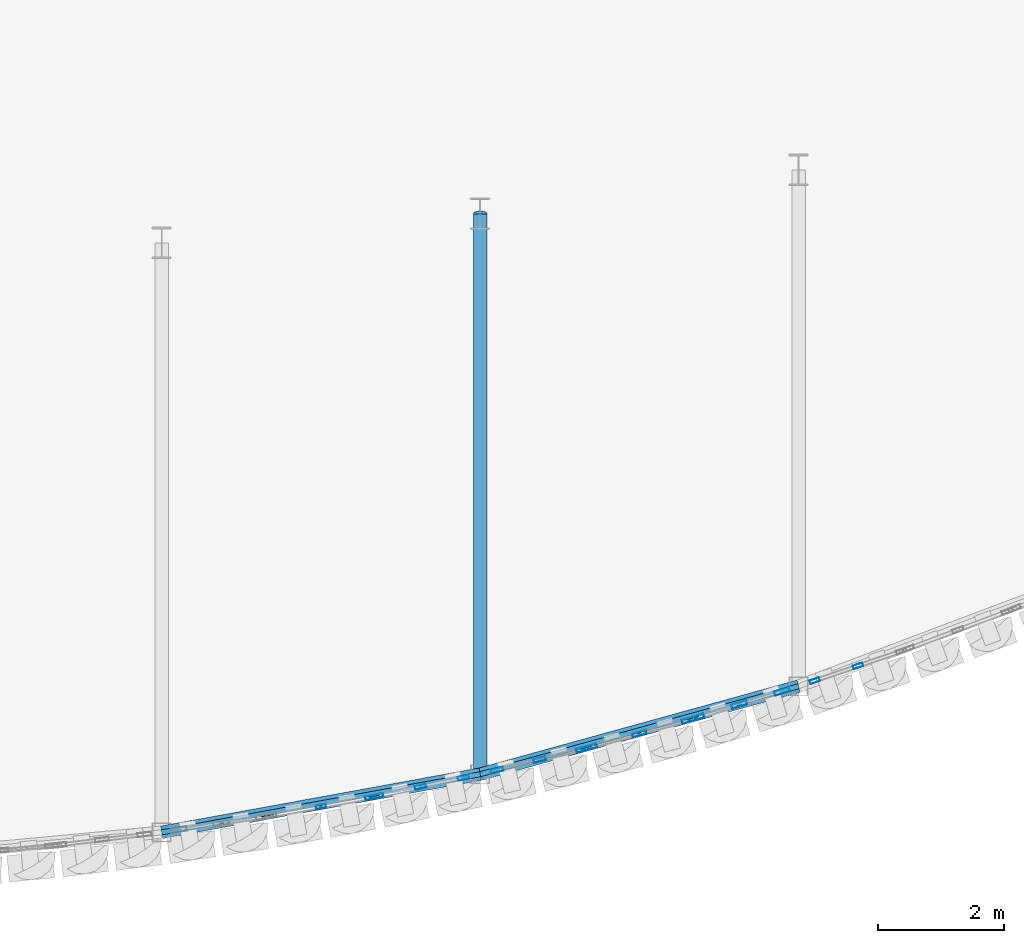
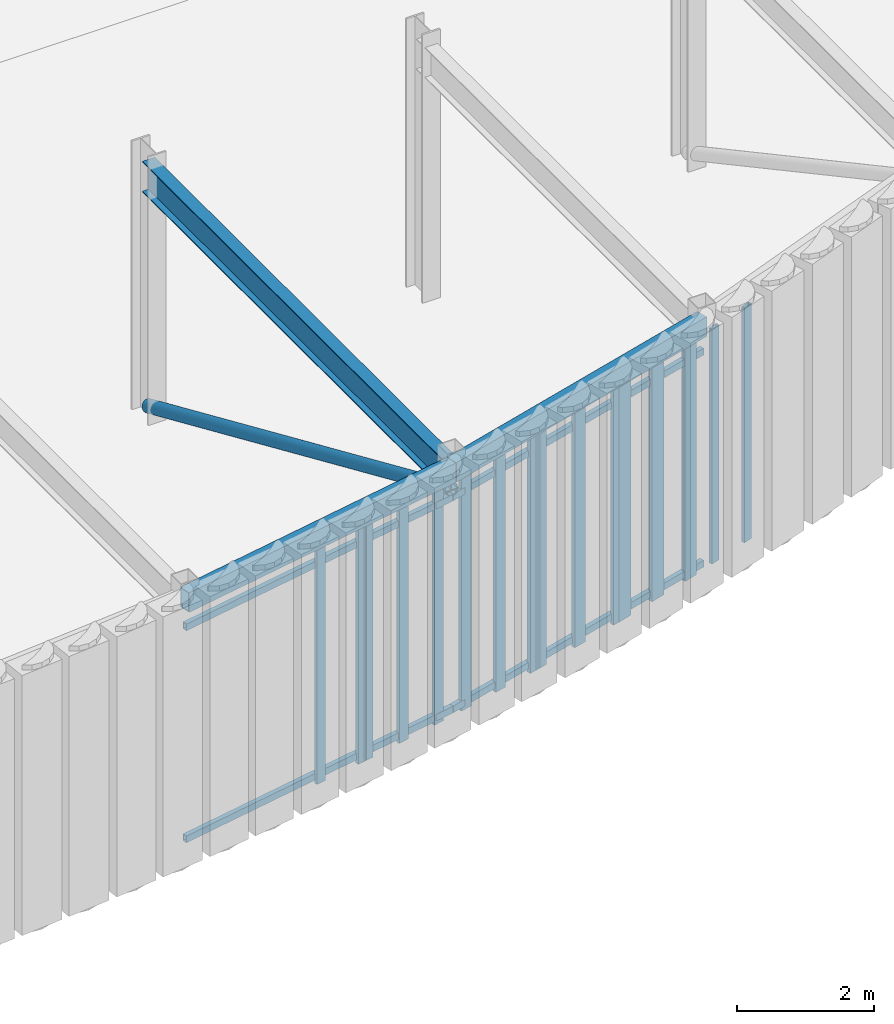
# One storey, part 47 of 121: 21 members, 3 beams, 6 elements without a shape of their own.
"""IFC4 building model written with IfcOpenShell, lengths in metres."""

from ifc_helpers import new_model, si_unit, direction, frame, origin, origin_2d, place, context, subcontext, project, spatial, hollow_rectangle, hollow_circle, i_section, extrude, material, layer, layer_set, material_profile, profile_set, type_object, element, aggregate, save


model = new_model("IFC4")

# Units and contexts
model_context = context("Model", 3, precision=1e-05, world=origin(), true_north=direction((0.0, 1.0)))
body_context = subcontext(model_context, "Body", "Model", "MODEL_VIEW")
ifc_project = project(units=[si_unit("LENGTHUNIT", "METRE"), si_unit("AREAUNIT", "SQUARE_METRE"), si_unit("VOLUMEUNIT", "CUBIC_METRE"), si_unit("PLANEANGLEUNIT", "RADIAN"), si_unit("MASSUNIT", "GRAM", prefix="KILO")], contexts=[model_context])

# Site, building, storey
site_placement = place(None, origin())
site = spatial("IfcSite", under=ifc_project, at=site_placement, CompositionType="ELEMENT")
building_placement = place(site_placement, origin())
building = spatial("IfcBuilding", under=site, at=building_placement, Name="Solvadek Multi-Sports Hall", CompositionType="ELEMENT")
storey_placement = place(building_placement, frame((0.0, 0.0, 4.800048828125)))
storey = spatial("IfcBuildingStorey", under=building, at=storey_placement, Name="L01", CompositionType="ELEMENT", Elevation=4.800048828125)

# Curtain wall, members
ifc_material_1 = material(Name="Anodised aluminium", Category="aluminium")
ifc_layer_1 = layer(ifc_material_1, 0.159912109375, Name="Anodised aluminium")
ifc_layer_set_1 = layer_set([ifc_layer_1], Name="Anodised aluminium")
curtain_wall_type_1 = type_object("IfcCurtainWallType", Name="ENV-CW-165X420", PredefinedType="USERDEFINED", material=ifc_layer_set_1)
curtain_wall_1_placement = place(storey_placement, origin())
curtain_wall_1 = element("IfcCurtainWall", 1, at=curtain_wall_1_placement, inside=storey, type_object=curtain_wall_type_1, Name="L01 Crescent Curved Curtain Wall #75", ObjectType="CURTAIN WALL", PredefinedType="USERDEFINED")
ifc_material_profile_1 = material_profile(ifc_material_1, hollow_rectangle(XDim=0.06005859375, YDim=0.159912109375, WallThickness=0.00390625, at=origin_2d()), Name="ALU-M 160x60x4")
ifc_profile_set_1 = profile_set([ifc_material_profile_1], Name="Anodised aluminium")
member_type_1 = type_object("IfcMemberType", Name="ENV-CWM-01", PredefinedType="MULLION", material=ifc_profile_set_1)
member_1_placement = place(storey_placement, frame((104.0400390625, -12.24951171875, 0.0), z_axis=(0.0, 0.0, 1.0), x_axis=(-0.17939811869, 0.983776557461, 0.0)))
member_1 = element("IfcMember", 2, at=member_1_placement, type_object=member_type_1, Name="CW-25 mullion 2", PredefinedType="MULLION", context=body_context, shape_type="SweptSolid", body=[
    extrude(hollow_rectangle(XDim=0.06005859375, YDim=0.159912109375, WallThickness=0.00390625, at=origin_2d()), origin(), (0.0, 0.0, 1.0), 4.199951171875),
])
member_2_placement = place(storey_placement, frame((104.821044921875, -12.107177734375, 0.0), z_axis=(0.0, 0.0, 1.0), x_axis=(-0.17939811869, 0.983776557461, 0.0)))
member_2 = element("IfcMember", 3, at=member_2_placement, type_object=member_type_1, Name="CW-25 mullion 3", PredefinedType="MULLION", context=body_context, shape_type="SweptSolid", body=[
    extrude(hollow_rectangle(XDim=0.06005859375, YDim=0.159912109375, WallThickness=0.00390625, at=origin_2d()), origin(), (0.0, 0.0, 1.0), 4.199951171875),
])
aggregate(curtain_wall_1, [member_1, member_2])

ifc_layer_2 = layer(ifc_material_1, 0.159912109375, Name="Anodised aluminium")
ifc_layer_set_2 = layer_set([ifc_layer_2], Name="Anodised aluminium")
curtain_wall_type_2 = type_object("IfcCurtainWallType", Name="ENV-CW-151X420", PredefinedType="USERDEFINED", material=ifc_layer_set_2)
curtain_wall_2_placement = place(storey_placement, origin())
curtain_wall_2 = element("IfcCurtainWall", 4, at=curtain_wall_2_placement, inside=storey, type_object=curtain_wall_type_2, Name="L01 Crescent Curved Curtain Wall #85", ObjectType="CURTAIN WALL", PredefinedType="USERDEFINED")
member_3_placement = place(storey_placement, frame((111.85546875, -10.259033203125, 0.0), z_axis=(0.0, 0.0, 1.0), x_axis=(-0.323729927138, 0.946149530611, 0.0)))
member_3 = element("IfcMember", 5, at=member_3_placement, type_object=member_type_1, Name="CW-20 mullion 1", PredefinedType="MULLION", context=body_context, shape_type="SweptSolid", body=[
    extrude(hollow_rectangle(XDim=0.06005859375, YDim=0.159912109375, WallThickness=0.00390625, at=origin_2d()), origin(), (0.0, 0.0, 1.0), 4.199951171875),
])
member_4_placement = place(storey_placement, frame((112.539306640625, -10.025146484375, 0.0), z_axis=(0.0, 0.0, 1.0), x_axis=(-0.323729927138, 0.946149530611, 0.0)))
member_4 = element("IfcMember", 6, at=member_4_placement, type_object=member_type_1, Name="CW-20 mullion 2", PredefinedType="MULLION", context=body_context, shape_type="SweptSolid", body=[
    extrude(hollow_rectangle(XDim=0.06005859375, YDim=0.159912109375, WallThickness=0.00390625, at=origin_2d()), origin(), (0.0, 0.0, 1.0), 4.199951171875),
])
aggregate(curtain_wall_2, [member_3, member_4])

ifc_layer_3 = layer(ifc_material_1, 0.159912109375, Name="Anodised aluminium")
ifc_layer_set_3 = layer_set([ifc_layer_3], Name="Anodised aluminium")
curtain_wall_type_3 = type_object("IfcCurtainWallType", Name="ENV-CW-145X420", PredefinedType="USERDEFINED", material=ifc_layer_set_3)
curtain_wall_3_placement = place(storey_placement, origin())
curtain_wall_3 = element("IfcCurtainWall", 7, at=curtain_wall_3_placement, inside=storey, type_object=curtain_wall_type_3, Name="L01 Crescent Curved Curtain Wall #77", ObjectType="CURTAIN WALL", PredefinedType="USERDEFINED")
ifc_material_profile_2 = material_profile(ifc_material_1, hollow_rectangle(XDim=0.06005859375, YDim=0.179931640625, WallThickness=0.00390625, at=origin_2d()), Name="ALU-M 180x60x4")
ifc_profile_set_2 = profile_set([ifc_material_profile_2], Name="Anodised aluminium")
member_type_2 = type_object("IfcMemberType", Name="ENV-CWM-02", PredefinedType="MULLION", material=ifc_profile_set_2)
member_5_placement = place(storey_placement, frame((104.938720703125, -12.083984375, 0.0), z_axis=(0.0, 0.0, 1.0), x_axis=(-0.208255271166, 0.978074507403, 0.0)))
member_5 = element("IfcMember", 8, at=member_5_placement, type_object=member_type_2, Name="CW-24 mullion 1", PredefinedType="MULLION", context=body_context, shape_type="SweptSolid", body=[
    extrude(hollow_rectangle(XDim=0.06005859375, YDim=0.179931640625, WallThickness=0.00390625, at=origin_2d()), origin(), (0.0, 0.0, 1.0), 4.199951171875),
])
member_6_placement = place(storey_placement, frame((105.6171875, -11.939453125, 0.0), z_axis=(0.0, 0.0, 1.0), x_axis=(-0.208255271166, 0.978074507403, 0.0)))
member_6 = element("IfcMember", 9, at=member_6_placement, type_object=member_type_2, Name="CW-24 mullion 2", PredefinedType="MULLION", context=body_context, shape_type="SweptSolid", body=[
    extrude(hollow_rectangle(XDim=0.06005859375, YDim=0.179931640625, WallThickness=0.00390625, at=origin_2d()), origin(), (0.0, 0.0, 1.0), 4.199951171875),
])
member_7_placement = place(storey_placement, frame((106.2958984375, -11.794921875, 0.0), z_axis=(0.0, 0.0, 1.0), x_axis=(-0.208255271166, 0.978074507403, 0.0)))
member_7 = element("IfcMember", 10, at=member_7_placement, type_object=member_type_2, Name="CW-24 mullion 3", PredefinedType="MULLION", context=body_context, shape_type="SweptSolid", body=[
    extrude(hollow_rectangle(XDim=0.06005859375, YDim=0.179931640625, WallThickness=0.00390625, at=origin_2d()), origin(), (0.0, 0.0, 1.0), 4.199951171875),
])
aggregate(curtain_wall_3, [member_5, member_6, member_7])

ifc_layer_4 = layer(ifc_material_1, 0.159912109375, Name="Anodised aluminium")
ifc_layer_set_4 = layer_set([ifc_layer_4], Name="Anodised aluminium")
curtain_wall_type_4 = type_object("IfcCurtainWallType", Name="ENV-CW-146X420", PredefinedType="USERDEFINED", material=ifc_layer_set_4)
curtain_wall_4_placement = place(storey_placement, origin())
curtain_wall_4 = element("IfcCurtainWall", 11, at=curtain_wall_4_placement, inside=storey, type_object=curtain_wall_type_4, Name="L01 Crescent Curved Curtain Wall #79", ObjectType="CURTAIN WALL", PredefinedType="USERDEFINED")
ifc_material_profile_3 = material_profile(ifc_material_1, hollow_rectangle(XDim=0.06494140625, YDim=0.199951171875, WallThickness=0.0048828125, at=origin_2d()), Name="ALU-M 200x65x5")
ifc_profile_set_3 = profile_set([ifc_material_profile_3], Name="Anodised aluminium")
member_type_3 = type_object("IfcMemberType", Name="ENV-CWM-03", PredefinedType="MULLION", material=ifc_profile_set_3)
member_8_placement = place(storey_placement, frame((106.82470703125, -11.674072265625, 0.0), z_axis=(0.0, 0.0, 1.0), x_axis=(-0.237162825236, 0.971469914267, 0.0)))
member_8 = element("IfcMember", 12, at=member_8_placement, type_object=member_type_3, Name="CW-23 mullion 1", PredefinedType="MULLION", context=body_context, shape_type="SweptSolid", body=[
    extrude(hollow_rectangle(XDim=0.06494140625, YDim=0.199951171875, WallThickness=0.0048828125, at=origin_2d()), origin(), (0.0, 0.0, 1.0), 4.199951171875),
])
member_9_placement = place(storey_placement, frame((107.501953125, -11.5087890625, 0.0), z_axis=(0.0, 0.0, 1.0), x_axis=(-0.237162825236, 0.971469914267, 0.0)))
member_9 = element("IfcMember", 13, at=member_9_placement, type_object=member_type_3, Name="CW-23 mullion 2", PredefinedType="MULLION", context=body_context, shape_type="SweptSolid", body=[
    extrude(hollow_rectangle(XDim=0.06494140625, YDim=0.199951171875, WallThickness=0.0048828125, at=origin_2d()), origin(), (0.0, 0.0, 1.0), 4.199951171875),
])
member_10_placement = place(storey_placement, frame((108.179443359375, -11.343505859375, 0.0), z_axis=(0.0, 0.0, 1.0), x_axis=(-0.237162825236, 0.971469914267, 0.0)))
member_10 = element("IfcMember", 14, at=member_10_placement, type_object=member_type_3, Name="CW-23 mullion 3", PredefinedType="MULLION", context=body_context, shape_type="SweptSolid", body=[
    extrude(hollow_rectangle(XDim=0.06494140625, YDim=0.199951171875, WallThickness=0.0048828125, at=origin_2d()), origin(), (0.0, 0.0, 1.0), 4.199951171875),
])
aggregate(curtain_wall_4, [member_8, member_9, member_10])

ifc_layer_5 = layer(ifc_material_1, 0.159912109375, Name="Anodised aluminium")
ifc_layer_set_5 = layer_set([ifc_layer_5], Name="Anodised aluminium")
curtain_wall_type_5 = type_object("IfcCurtainWallType", Name="ENV-CW-168X420", PredefinedType="USERDEFINED", material=ifc_layer_set_5)
curtain_wall_5_placement = place(storey_placement, origin())
curtain_wall_5 = element("IfcCurtainWall", 15, at=curtain_wall_5_placement, inside=storey, type_object=curtain_wall_type_5, Name="L01 Crescent Curved Curtain Wall #81", ObjectType="CURTAIN WALL", PredefinedType="USERDEFINED")
ifc_material_profile_4 = material_profile(ifc_material_1, hollow_rectangle(XDim=0.06494140625, YDim=0.219970703125, WallThickness=0.0048828125, at=origin_2d()), Name="ALU-M 220x65x5")
ifc_profile_set_4 = profile_set([ifc_material_profile_4], Name="Anodised aluminium")
member_type_4 = type_object("IfcMemberType", Name="ENV-CWM-04", PredefinedType="MULLION", material=ifc_profile_set_4)
member_11_placement = place(storey_placement, frame((108.30029296875, -11.31201171875, 0.0), z_axis=(0.0, 0.0, 1.0), x_axis=(-0.265982315271, 0.963977908441, 0.0)))
member_11 = element("IfcMember", 16, at=member_11_placement, type_object=member_type_4, Name="CW-22 mullion 1", PredefinedType="MULLION", context=body_context, shape_type="SweptSolid", body=[
    extrude(hollow_rectangle(XDim=0.06494140625, YDim=0.219970703125, WallThickness=0.0048828125, at=origin_2d()), origin(), (0.0, 0.0, 1.0), 4.199951171875),
])
member_12_placement = place(storey_placement, frame((109.080078125, -11.0966796875, 0.0), z_axis=(0.0, 0.0, 1.0), x_axis=(-0.265982315271, 0.963977908441, 0.0)))
member_12 = element("IfcMember", 17, at=member_12_placement, type_object=member_type_4, Name="CW-22 mullion 2", PredefinedType="MULLION", context=body_context, shape_type="SweptSolid", body=[
    extrude(hollow_rectangle(XDim=0.06494140625, YDim=0.219970703125, WallThickness=0.0048828125, at=origin_2d()), origin(), (0.0, 0.0, 1.0), 4.199951171875),
])
member_13_placement = place(storey_placement, frame((109.85986328125, -10.881591796875, 0.0), z_axis=(0.0, 0.0, 1.0), x_axis=(-0.265982315271, 0.963977908441, 0.0)))
member_13 = element("IfcMember", 18, at=member_13_placement, type_object=member_type_4, Name="CW-22 mullion 3", PredefinedType="MULLION", context=body_context, shape_type="SweptSolid", body=[
    extrude(hollow_rectangle(XDim=0.06494140625, YDim=0.219970703125, WallThickness=0.0048828125, at=origin_2d()), origin(), (0.0, 0.0, 1.0), 4.199951171875),
])
aggregate(curtain_wall_5, [member_11, member_12, member_13])

ifc_layer_6 = layer(ifc_material_1, 0.159912109375, Name="Anodised aluminium")
ifc_layer_set_6 = layer_set([ifc_layer_6], Name="Anodised aluminium")
curtain_wall_type_6 = type_object("IfcCurtainWallType", Name="ENV-CW-149X420", PredefinedType="USERDEFINED", material=ifc_layer_set_6)
curtain_wall_6_placement = place(storey_placement, origin())
curtain_wall_6 = element("IfcCurtainWall", 19, at=curtain_wall_6_placement, inside=storey, type_object=curtain_wall_type_6, Name="L01 Crescent Curved Curtain Wall #83", ObjectType="CURTAIN WALL", PredefinedType="USERDEFINED")
ifc_material_profile_5 = material_profile(ifc_material_1, hollow_rectangle(XDim=0.070068359375, YDim=0.25, WallThickness=0.0048828125, at=origin_2d()), Name="ALU-M 250x70x5")
ifc_profile_set_5 = profile_set([ifc_material_profile_5], Name="Anodised aluminium")
member_type_5 = type_object("IfcMemberType", Name="ENV-CWM-05", PredefinedType="MULLION", material=ifc_profile_set_5)
member_14_placement = place(storey_placement, frame((109.982177734375, -10.845947265625, 0.0), z_axis=(0.0, 0.0, 1.0), x_axis=(-0.294921504432, 0.955521483915, 0.0)))
member_14 = element("IfcMember", 20, at=member_14_placement, type_object=member_type_5, Name="CW-21 mullion 1", PredefinedType="MULLION", context=body_context, shape_type="SweptSolid", body=[
    extrude(hollow_rectangle(XDim=0.070068359375, YDim=0.25, WallThickness=0.0048828125, at=origin_2d()), origin(), (0.0, 0.0, 1.0), 4.199951171875),
])
member_15_placement = place(storey_placement, frame((110.65966796875, -10.63671875, 0.0), z_axis=(0.0, 0.0, 1.0), x_axis=(-0.294921504432, 0.955521483915, 0.0)))
member_15 = element("IfcMember", 21, at=member_15_placement, type_object=member_type_5, Name="CW-21 mullion 2", PredefinedType="MULLION", context=body_context, shape_type="SweptSolid", body=[
    extrude(hollow_rectangle(XDim=0.070068359375, YDim=0.25, WallThickness=0.0048828125, at=origin_2d()), origin(), (0.0, 0.0, 1.0), 4.199951171875),
])
member_16_placement = place(storey_placement, frame((111.337158203125, -10.427734375, 0.0), z_axis=(0.0, 0.0, 1.0), x_axis=(-0.294921504432, 0.955521483915, 0.0)))
member_16 = element("IfcMember", 22, at=member_16_placement, type_object=member_type_5, Name="CW-21 mullion 3", PredefinedType="MULLION", context=body_context, shape_type="SweptSolid", body=[
    extrude(hollow_rectangle(XDim=0.070068359375, YDim=0.25, WallThickness=0.0048828125, at=origin_2d()), origin(), (0.0, 0.0, 1.0), 4.199951171875),
])
aggregate(curtain_wall_6, [member_14, member_15, member_16])

# Beam
ifc_material_2 = material(Name="Steel E350 (350 MPa)", Category="steel")
ifc_material_profile_6 = material_profile(ifc_material_2, i_section(OverallWidth=0.2099609375, OverallDepth=0.550048828125, WebThickness=0.010986328125, FlangeThickness=0.01708984375, at=origin_2d()), Name="NPB 550")
ifc_profile_set_6 = profile_set([ifc_material_profile_6], Name="Steel E350 (350 MPa)")
beam_type_1 = type_object("IfcBeamType", Name="STR-BM-NPB550", PredefinedType="BEAM", material=ifc_profile_set_6)
beam_1_placement = place(storey_placement, frame((106.56005859375, -11.73876953125, 4.284912109375), z_axis=(0.0, 1.0, 0.0), x_axis=(-1.0, 0.0, 0.0)))
element("IfcBeam", 23, at=beam_1_placement, inside=storey, type_object=beam_type_1, Name="L01 Girder B-05 #1285", PredefinedType="BEAM", context=body_context, shape_type="SweptSolid", body=[
    extrude(i_section(OverallWidth=0.2099609375, OverallDepth=0.550048828125, WebThickness=0.010986328125, FlangeThickness=0.01708984375, at=origin_2d()), origin(), (0.0, 0.0, 1.0), 8.869384765625),
])

# Member
ifc_material_profile_7 = material_profile(ifc_material_2, hollow_circle(Radius=0.109619140625, WallThickness=0.010009765625, at=origin_2d()), Name="CHS 219.1x10")
ifc_profile_set_7 = profile_set([ifc_material_profile_7], Name="Steel E350 (350 MPa)")
member_type_6 = type_object("IfcMemberType", Name="STR-BRC-CHS219", PredefinedType="BRACE", material=ifc_profile_set_7)
member_17_placement = place(storey_placement, frame((106.56005859375, -2.869384765625, 0.14990234375), z_axis=(0.0, -0.915405666753, 0.402532564243), x_axis=(1.0, 0.0, 0.0)))
element("IfcMember", 24, at=member_17_placement, inside=storey, type_object=member_type_6, Name="L01 Crescent Radial Truss Diagonal #5", PredefinedType="BRACE", context=body_context, shape_type="SweptSolid", body=[
    extrude(hollow_circle(Radius=0.109619140625, WallThickness=0.010009765625, at=origin_2d()), origin(), (0.0, 0.0, 1.0), 9.68896484375),
])

# Beams
ifc_material_profile_8 = material_profile(ifc_material_2, hollow_rectangle(XDim=0.199951171875, YDim=0.35009765625, WallThickness=0.011962890625, at=origin_2d()), Name="RHS 350x200x12")
ifc_profile_set_8 = profile_set([ifc_material_profile_8], Name="Steel E350 (350 MPa)")
beam_type_2 = type_object("IfcBeamType", Name="STR-SPN-RHS350", PredefinedType="SPANDREL", material=ifc_profile_set_8)
beam_2_placement = place(storey_placement, frame((101.52001953125, -12.65869140625, 4.385009765625), z_axis=(0.983747689745, 0.179556350269, 0.0), x_axis=(-0.179556350269, 0.983747689745, 0.0)))
element("IfcBeam", 25, at=beam_2_placement, inside=storey, type_object=beam_type_2, Name="L01 Curved Crescent Spandrel #51", PredefinedType="SPANDREL", context=body_context, shape_type="SweptSolid", body=[
    extrude(hollow_rectangle(XDim=0.199951171875, YDim=0.35009765625, WallThickness=0.011962890625, at=origin_2d()), origin(), (0.0, 0.0, 1.0), 5.123291015625),
])
beam_3_placement = place(storey_placement, frame((106.56005859375, -11.73876953125, 4.385009765625), z_axis=(0.963895559966, 0.266280584116, 0.0), x_axis=(-0.266280584116, 0.963895559966, 0.0)))
element("IfcBeam", 26, at=beam_3_placement, inside=storey, type_object=beam_type_2, Name="L01 Curved Crescent Spandrel #52", PredefinedType="SPANDREL", context=body_context, shape_type="SweptSolid", body=[
    extrude(hollow_rectangle(XDim=0.199951171875, YDim=0.35009765625, WallThickness=0.011962890625, at=origin_2d()), origin(), (0.0, 0.0, 1.0), 5.228759765625),
])

# Members
ifc_material_3 = material(Name="Steel E250 (250 MPa)", Category="steel")
ifc_material_profile_9 = material_profile(ifc_material_3, hollow_rectangle(XDim=0.080078125, YDim=0.1201171875, WallThickness=0.006103515625, at=origin_2d()), Name="RHS 120x80x6")
ifc_profile_set_9 = profile_set([ifc_material_profile_9], Name="Steel E250 (250 MPa)")
member_type_7 = type_object("IfcMemberType", Name="STR-STD-RHS120", PredefinedType="STUD", material=ifc_profile_set_9)
for number, where, z_axis, x_axis, name in (
    (27, (101.52001953125, -12.65869140625, 0.119873046875), (0.983747689745, 0.179556350269, 0.0), (-0.179556350269, 0.983747689745, 0.0), "L01 Flute Subframe Rail E-4 bot"),
    (28, (101.52001953125, -12.65869140625, 3.909912109375), (0.983747689745, 0.179556350269, 0.0), (-0.179556350269, 0.983747689745, 0.0), "L01 Flute Subframe Rail E-4 top"),
):
    element("IfcMember", number, at=place(storey_placement, frame(where, z_axis=z_axis, x_axis=x_axis)), inside=storey, type_object=member_type_7, Name=name, PredefinedType="STUD", context=body_context, shape_type="SweptSolid", body=[
        extrude(hollow_rectangle(XDim=0.080078125, YDim=0.1201171875, WallThickness=0.006103515625, at=origin_2d()), origin(), (0.0, 0.0, 1.0), 5.123291015625),
    ])
for number, where, z_axis, x_axis, name in (
    (29, (106.56005859375, -11.73876953125, 0.119873046875), (0.963895559966, 0.266280584116, 0.0), (-0.266280584116, 0.963895559966, 0.0), "L01 Flute Subframe Rail E-5 bot"),
    (30, (106.56005859375, -11.73876953125, 3.909912109375), (0.963895559966, 0.266280584116, 0.0), (-0.266280584116, 0.963895559966, 0.0), "L01 Flute Subframe Rail E-5 top"),
):
    element("IfcMember", number, at=place(storey_placement, frame(where, z_axis=z_axis, x_axis=x_axis)), inside=storey, type_object=member_type_7, Name=name, PredefinedType="STUD", context=body_context, shape_type="SweptSolid", body=[
        extrude(hollow_rectangle(XDim=0.080078125, YDim=0.1201171875, WallThickness=0.006103515625, at=origin_2d()), origin(), (0.0, 0.0, 1.0), 5.228759765625),
    ])

save(model, "model.ifc")
